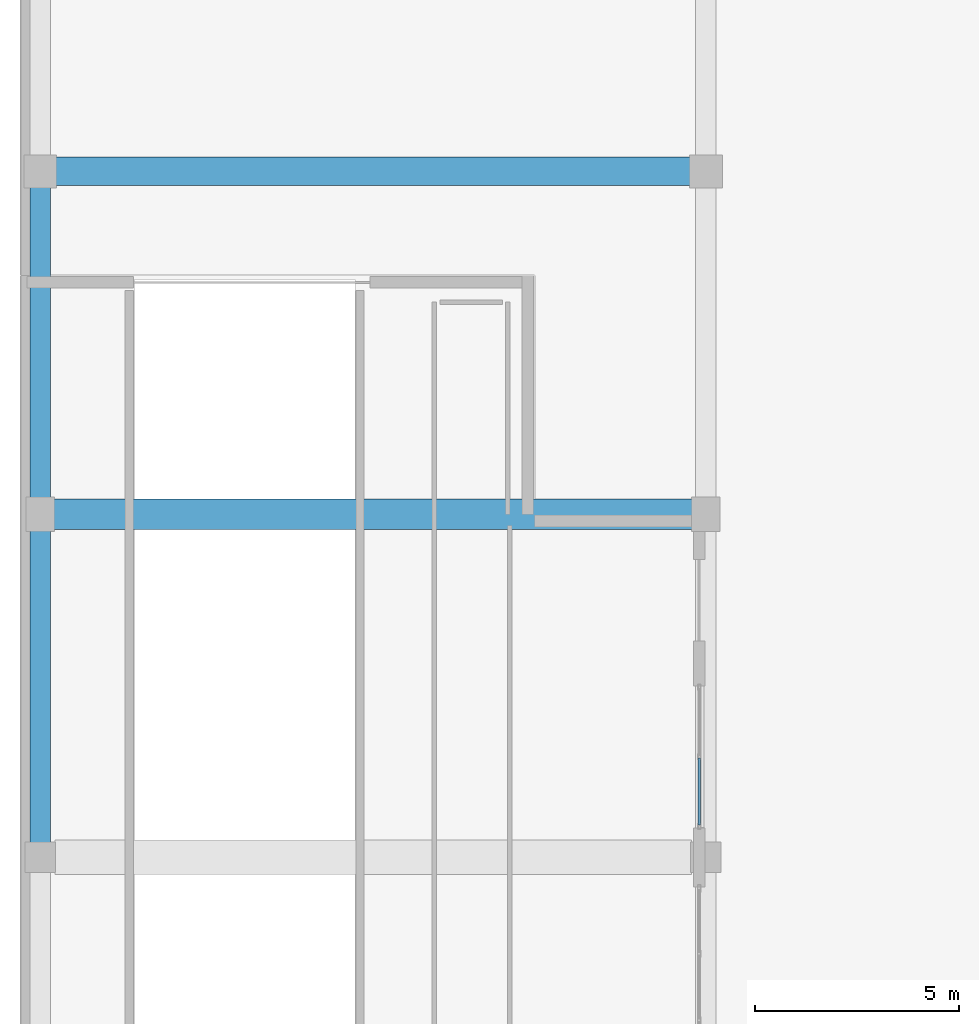
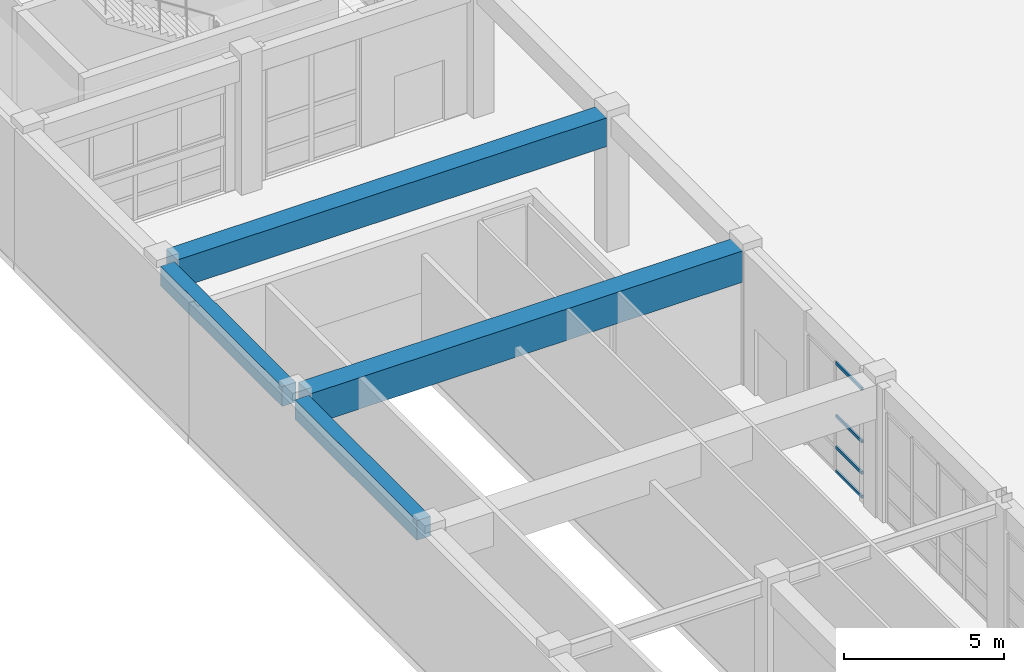
# One storey, part 27 of 148: 4 beams, 4 members, 1 element without a shape of its own.
"""IFC4 building model written with IfcOpenShell, lengths in metres."""

from ifc_helpers import new_model, si_unit, direction, frame, origin, origin_2d, place, context, subcontext, project, spatial, rectangle, hollow_rectangle, extrude, material, layer, layer_set, material_profile, profile_set, type_object, element, aggregate, save


model = new_model("IFC4")

# Units and contexts
model_context = context("Model", 3, precision=1e-05, world=origin(), true_north=direction((0.0, 1.0)))
body_context = subcontext(model_context, "Body", "Model", "MODEL_VIEW")
ifc_project = project(units=[si_unit("LENGTHUNIT", "METRE"), si_unit("AREAUNIT", "SQUARE_METRE"), si_unit("VOLUMEUNIT", "CUBIC_METRE"), si_unit("PLANEANGLEUNIT", "RADIAN"), si_unit("MASSUNIT", "GRAM", prefix="KILO")], contexts=[model_context])

# Site, building, storey
site_placement = place(None, origin())
site = spatial("IfcSite", under=ifc_project, at=site_placement, CompositionType="ELEMENT")
building_placement = place(site_placement, origin())
building = spatial("IfcBuilding", under=site, at=building_placement, Name="Quendrovan Civic Courthouse", CompositionType="ELEMENT")
storey_placement = place(building_placement, origin())
storey = spatial("IfcBuildingStorey", under=building, at=storey_placement, Name="L01", CompositionType="ELEMENT", Elevation=0.0)

# Beams
ifc_material_1 = material(Name="Post-tensioned concrete C50/60", Category="concrete")
ifc_material_profile_1 = material_profile(ifc_material_1, rectangle(XDim=0.699951171875, YDim=1.10009765625, at=origin_2d()), Name="PT-GIRD-700x1100")
ifc_profile_set_1 = profile_set([ifc_material_profile_1], Name="Post-tensioned concrete C50/60")
beam_type_1 = type_object("IfcBeamType", Name="BM-PT1100", PredefinedType="BEAM", material=ifc_profile_set_1)
beam_1_placement = place(storey_placement, frame((0.8798828125, 48.0, 4.570068359375), z_axis=(1.0, 0.0, 0.0), x_axis=(0.0, 1.0, 0.0)))
element("IfcBeam", 1, at=beam_1_placement, inside=storey, type_object=beam_type_1, Name="L01 Girder X0282", PredefinedType="BEAM", context=body_context, shape_type="SweptSolid", body=[
    extrude(rectangle(XDim=0.699951171875, YDim=1.10009765625, at=origin_2d()), origin(), (0.0, 0.0, 1.0), 15.5400390625),
])
ifc_material_profile_2 = material_profile(ifc_material_1, rectangle(XDim=0.75, YDim=1.199951171875, at=origin_2d()), Name="PT-GIRD-750x1200")
ifc_profile_set_2 = profile_set([ifc_material_profile_2], Name="Post-tensioned concrete C50/60")
beam_type_2 = type_object("IfcBeamType", Name="BM-PT1200", PredefinedType="BEAM", material=ifc_profile_set_2)
beam_2_placement = place(storey_placement, frame((0.830078125, 39.60009765625, 4.52001953125), z_axis=(1.0, 0.0, 0.0), x_axis=(0.0, 1.0, 0.0)))
element("IfcBeam", 2, at=beam_2_placement, inside=storey, type_object=beam_type_2, Name="L01 Girder X0281", PredefinedType="BEAM", context=body_context, shape_type="SweptSolid", body=[
    extrude(rectangle(XDim=0.75, YDim=1.199951171875, at=origin_2d()), origin(), (0.0, 0.0, 1.0), 15.639892578125),
])
ifc_material_2 = material(Name="Concrete C40/50", Category="concrete")
ifc_material_profile_3 = material_profile(ifc_material_2, rectangle(XDim=0.5, YDim=0.75, at=origin_2d()), Name="RC-BM-500x750")
ifc_profile_set_3 = profile_set([ifc_material_profile_3], Name="Concrete C40/50")
beam_type_3 = type_object("IfcBeamType", Name="BM-RC750", PredefinedType="SPANDREL", material=ifc_profile_set_3)
beam_3_placement = place(storey_placement, frame((0.5, 31.554931640625, 4.7451171875), z_axis=(0.0, 1.0, 0.0), x_axis=(-1.0, 0.0, 0.0)))
element("IfcBeam", 3, at=beam_3_placement, inside=storey, type_object=beam_type_3, Name="L01 Girder Y0374", PredefinedType="SPANDREL", context=body_context, shape_type="SweptSolid", body=[
    extrude(rectangle(XDim=0.5, YDim=0.75, at=origin_2d()), origin(), (0.0, 0.0, 1.0), 7.64013671875),
])
beam_4_placement = place(storey_placement, frame((0.5, 40.0048828125, 4.7451171875), z_axis=(0.0, 1.0, 0.0), x_axis=(-1.0, 0.0, 0.0)))
element("IfcBeam", 4, at=beam_4_placement, inside=storey, type_object=beam_type_3, Name="L01 Girder Y0375", PredefinedType="SPANDREL", context=body_context, shape_type="SweptSolid", body=[
    extrude(rectangle(XDim=0.5, YDim=0.75, at=origin_2d()), origin(), (0.0, 0.0, 1.0), 7.615234375),
])

# Curtain wall, members
ifc_material_3 = material(Name="Bronze anodised aluminium and low-E glass", Category="aluminium")
ifc_layer = layer(ifc_material_3, 0.179931640625, Name="Bronze anodised aluminium and low-E glass")
ifc_layer_set = layer_set([ifc_layer], Name="Bronze anodised aluminium and low-E glass")
curtain_wall_type = type_object("IfcCurtainWallType", Name="CW-U35x42", PredefinedType="USERDEFINED", material=ifc_layer_set)
curtain_wall_placement = place(storey_placement, origin())
curtain_wall = element("IfcCurtainWall", 5, at=curtain_wall_placement, inside=storey, type_object=curtain_wall_type, Name="L01 Unitised Hurricane Curtain Wall CW-001", ObjectType="UNITISED CURTAIN WALL", PredefinedType="USERDEFINED")
ifc_material_4 = material(Name="Bronze anodised aluminium", Category="aluminium")
ifc_material_profile_4 = material_profile(ifc_material_4, hollow_rectangle(XDim=0.06494140625, YDim=0.114990234375, WallThickness=0.00390625, at=origin_2d()), Name="CW-TRAN-65x115")
ifc_profile_set_4 = profile_set([ifc_material_profile_4], Name="Bronze anodised aluminium")
member_type = type_object("IfcMemberType", Name="CW-TRAN-B", PredefinedType="USERDEFINED", material=ifc_profile_set_4)
member_1_placement = place(storey_placement, frame((16.635009765625, 33.6298828125, 0.032470703125), z_axis=(0.0, -1.0, 0.0), x_axis=(1.0, 0.0, 0.0)))
member_1 = element("IfcMember", 6, at=member_1_placement, type_object=member_type, Name="CW-001 transom 2.1", ObjectType="TRANSOM", PredefinedType="USERDEFINED", context=body_context, shape_type="SweptSolid", body=[
    extrude(hollow_rectangle(XDim=0.06494140625, YDim=0.114990234375, WallThickness=0.00390625, at=origin_2d()), origin(), (0.0, 0.0, 1.0), 1.639892578125),
])
member_2_placement = place(storey_placement, frame((16.635009765625, 33.6298828125, 0.949951171875), z_axis=(0.0, -1.0, 0.0), x_axis=(1.0, 0.0, 0.0)))
member_2 = element("IfcMember", 7, at=member_2_placement, type_object=member_type, Name="CW-001 transom 2.2", ObjectType="TRANSOM", PredefinedType="USERDEFINED", context=body_context, shape_type="SweptSolid", body=[
    extrude(hollow_rectangle(XDim=0.06494140625, YDim=0.114990234375, WallThickness=0.00390625, at=origin_2d()), origin(), (0.0, 0.0, 1.0), 1.639892578125),
])
member_3_placement = place(storey_placement, frame((16.635009765625, 33.6298828125, 2.14990234375), z_axis=(0.0, -1.0, 0.0), x_axis=(1.0, 0.0, 0.0)))
member_3 = element("IfcMember", 8, at=member_3_placement, type_object=member_type, Name="CW-001 transom 2.3", ObjectType="TRANSOM", PredefinedType="USERDEFINED", context=body_context, shape_type="SweptSolid", body=[
    extrude(hollow_rectangle(XDim=0.06494140625, YDim=0.114990234375, WallThickness=0.00390625, at=origin_2d()), origin(), (0.0, 0.0, 1.0), 1.639892578125),
])
member_4_placement = place(storey_placement, frame((16.635009765625, 33.6298828125, 4.16748046875), z_axis=(0.0, -1.0, 0.0), x_axis=(1.0, 0.0, 0.0)))
member_4 = element("IfcMember", 9, at=member_4_placement, type_object=member_type, Name="CW-001 transom 2.4", ObjectType="TRANSOM", PredefinedType="USERDEFINED", context=body_context, shape_type="SweptSolid", body=[
    extrude(hollow_rectangle(XDim=0.06494140625, YDim=0.114990234375, WallThickness=0.00390625, at=origin_2d()), origin(), (0.0, 0.0, 1.0), 1.639892578125),
])
aggregate(curtain_wall, [member_1, member_2, member_3, member_4])

save(model, "model.ifc")
